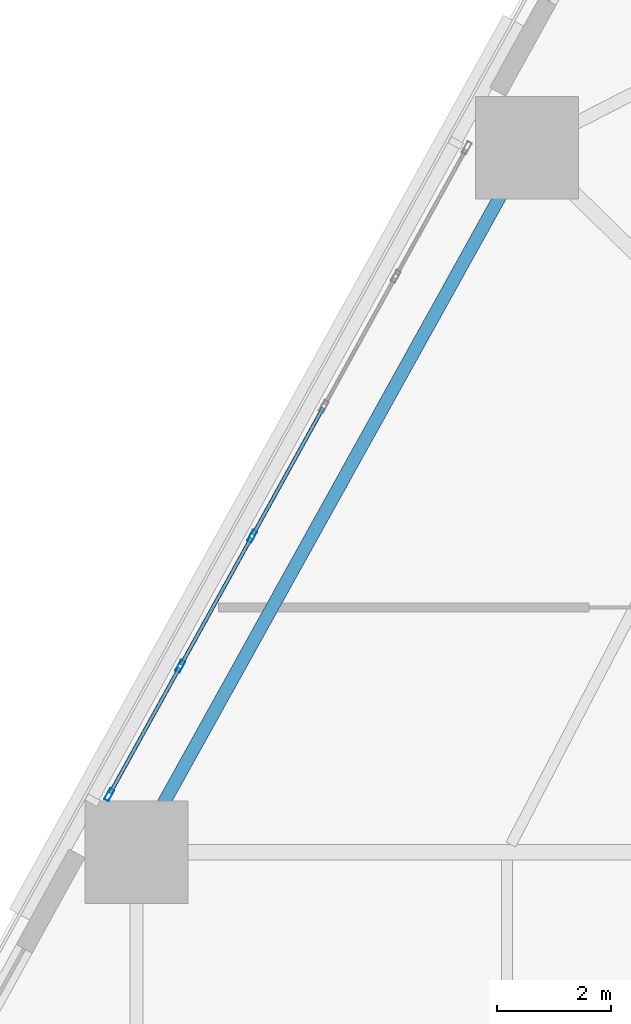
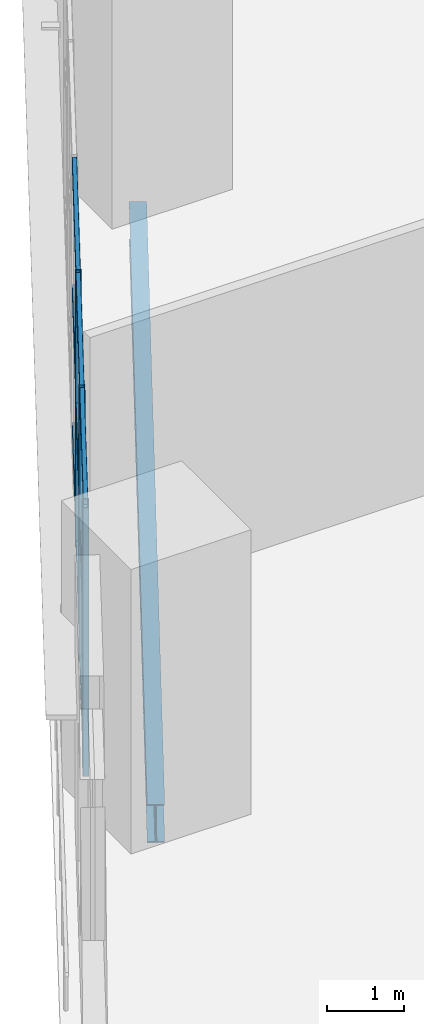
# One storey, part 5 of 21: 12 members, 1 beam, 1 element without a shape of its own.
"""IFC4 building model written with IfcOpenShell, lengths in metres."""

from ifc_helpers import new_model, si_unit, direction, frame, origin, origin_2d, place, context, subcontext, project, spatial, hollow_rectangle, i_section, extrude, material, layer, layer_set, material_profile, profile_set, type_object, element, aggregate, save


model = new_model("IFC4")

# Units and contexts
model_context = context("Model", 3, precision=1e-05, world=origin(), true_north=direction((0.0, 1.0)))
body_context = subcontext(model_context, "Body", "Model", "MODEL_VIEW")
ifc_project = project(units=[si_unit("LENGTHUNIT", "METRE"), si_unit("AREAUNIT", "SQUARE_METRE"), si_unit("VOLUMEUNIT", "CUBIC_METRE"), si_unit("PLANEANGLEUNIT", "RADIAN"), si_unit("MASSUNIT", "GRAM", prefix="KILO")], contexts=[model_context])

# Site, building, storey
site_placement = place(None, origin())
site = spatial("IfcSite", under=ifc_project, at=site_placement, CompositionType="ELEMENT")
building_placement = place(site_placement, origin())
building = spatial("IfcBuilding", under=site, at=building_placement, Name="Cinnabar Lancet Tower", CompositionType="ELEMENT")
storey_placement = place(building_placement, frame((0.0, 0.0, 6.0)))
storey = spatial("IfcBuildingStorey", under=building, at=storey_placement, Name="L01", CompositionType="ELEMENT", Elevation=6.0)

# Curtain wall, members
ifc_material_1 = material(Name="Thermally broken bronze-anodized aluminium and low-E glass", Category="aluminium")
ifc_layer = layer(ifc_material_1, 0.179931640625)
ifc_layer_set = layer_set([ifc_layer], Name="Thermally broken bronze-anodized aluminium and low-E glass")
curtain_wall_type = type_object("IfcCurtainWallType", Name="ENV-CW-SYS-02", PredefinedType="NOTDEFINED", material=ifc_layer_set)
curtain_wall_placement = place(storey_placement, origin())
curtain_wall = element("IfcCurtainWall", 1, at=curtain_wall_placement, inside=storey, type_object=curtain_wall_type, Name="L01 Face 5 Feature Curtain Wall", PredefinedType="NOTDEFINED")
ifc_material_2 = material(Name="Anodized architectural aluminium 6063-T6", Category="aluminium")
ifc_material_profile_1 = material_profile(ifc_material_2, hollow_rectangle(XDim=0.0849609375, YDim=0.219970703125, WallThickness=0.0048828125, InnerFilletRadius=0.00244140625, OuterFilletRadius=0.007568359375, at=origin_2d()), Name="CW-MUL 220x85x5")
ifc_profile_set_1 = profile_set([ifc_material_profile_1], Name="Anodized architectural aluminium 6063-T6")
member_type_1 = type_object("IfcMemberType", Name="ENV-CW-MUL-220", PredefinedType="MULLION", material=ifc_profile_set_1)
member_1_placement = place(storey_placement, frame((6.93701171875, 37.4453125, 0.0), z_axis=(0.0, 0.0, 1.0), x_axis=(0.875242391442, -0.48368456273, 0.0)))
member_1 = element("IfcMember", 2, at=member_1_placement, type_object=member_type_1, Name="CW-02 mullion 4", PredefinedType="MULLION", context=body_context, shape_type="SweptSolid", body=[
    extrude(hollow_rectangle(XDim=0.0849609375, YDim=0.219970703125, WallThickness=0.0048828125, InnerFilletRadius=0.00244140625, OuterFilletRadius=0.007568359375, at=origin_2d()), origin(), (0.0, 0.0, 1.0), 4.25),
])
member_2_placement = place(storey_placement, frame((5.677978515625, 35.167236328125, 0.0), z_axis=(0.0, 0.0, 1.0), x_axis=(0.875242391442, -0.48368456273, 0.0)))
member_2 = element("IfcMember", 3, at=member_2_placement, type_object=member_type_1, Name="CW-02 mullion 5", PredefinedType="MULLION", context=body_context, shape_type="SweptSolid", body=[
    extrude(hollow_rectangle(XDim=0.0849609375, YDim=0.219970703125, WallThickness=0.0048828125, InnerFilletRadius=0.00244140625, OuterFilletRadius=0.007568359375, at=origin_2d()), origin(), (0.0, 0.0, 1.0), 4.25),
])
member_3_placement = place(storey_placement, frame((4.43359375, 32.915283203125, 0.0), z_axis=(0.0, 0.0, 1.0), x_axis=(0.875242391442, -0.48368456273, 0.0)))
member_3 = element("IfcMember", 4, at=member_3_placement, type_object=member_type_1, Name="CW-02 mullion 6", PredefinedType="MULLION", context=body_context, shape_type="SweptSolid", body=[
    extrude(hollow_rectangle(XDim=0.0849609375, YDim=0.219970703125, WallThickness=0.0048828125, InnerFilletRadius=0.00244140625, OuterFilletRadius=0.007568359375, at=origin_2d()), origin(), (0.0, 0.0, 1.0), 4.25),
])
ifc_material_3 = material(Name="Anodized architectural aluminium 6063-T6", Category="aluminium")
ifc_material_profile_2 = material_profile(ifc_material_3, hollow_rectangle(XDim=0.06494140625, YDim=0.14990234375, WallThickness=0.00390625, InnerFilletRadius=0.001953125, OuterFilletRadius=0.006103515625, at=origin_2d()), Name="CW-TRN 150x65x4")
ifc_profile_set_2 = profile_set([ifc_material_profile_2], Name="Anodized architectural aluminium 6063-T6")
member_type_2 = type_object("IfcMemberType", Name="ENV-CW-TRN-160", PredefinedType="USERDEFINED", material=ifc_profile_set_2)
member_4_placement = place(storey_placement, frame((8.181396484375, 39.697265625, 0.030029296875), z_axis=(-0.483701595558, -0.875232978386, 0.0), x_axis=(0.875232978386, -0.483701595558, 0.0)))
member_4 = element("IfcMember", 5, at=member_4_placement, type_object=member_type_2, Name="CW-02 transom 3.1", ObjectType="TRANSOM", PredefinedType="USERDEFINED", context=body_context, shape_type="SweptSolid", body=[
    extrude(hollow_rectangle(XDim=0.06494140625, YDim=0.14990234375, WallThickness=0.00390625, InnerFilletRadius=0.001953125, OuterFilletRadius=0.006103515625, at=origin_2d()), origin(), (0.0, 0.0, 1.0), 2.54296875),
])
member_5_placement = place(storey_placement, frame((8.181396484375, 39.697265625, 2.2099609375), z_axis=(-0.483701595558, -0.875232978386, 0.0), x_axis=(0.875232978386, -0.483701595558, 0.0)))
member_5 = element("IfcMember", 6, at=member_5_placement, type_object=member_type_2, Name="CW-02 transom 3.2", ObjectType="TRANSOM", PredefinedType="USERDEFINED", context=body_context, shape_type="SweptSolid", body=[
    extrude(hollow_rectangle(XDim=0.06494140625, YDim=0.14990234375, WallThickness=0.00390625, InnerFilletRadius=0.001953125, OuterFilletRadius=0.006103515625, at=origin_2d()), origin(), (0.0, 0.0, 1.0), 2.54296875),
])
member_6_placement = place(storey_placement, frame((8.181396484375, 39.697265625, 4.219970703125), z_axis=(-0.483701595558, -0.875232978386, 0.0), x_axis=(0.875232978386, -0.483701595558, 0.0)))
member_6 = element("IfcMember", 7, at=member_6_placement, type_object=member_type_2, Name="CW-02 transom 3.3", ObjectType="TRANSOM", PredefinedType="USERDEFINED", context=body_context, shape_type="SweptSolid", body=[
    extrude(hollow_rectangle(XDim=0.06494140625, YDim=0.14990234375, WallThickness=0.00390625, InnerFilletRadius=0.001953125, OuterFilletRadius=0.006103515625, at=origin_2d()), origin(), (0.0, 0.0, 1.0), 2.54296875),
])
member_7_placement = place(storey_placement, frame((6.922607421875, 37.419189453125, 0.030029296875), z_axis=(-0.483660952196, -0.875255438898, 0.0), x_axis=(0.875255438898, -0.483660952196, 0.0)))
member_7 = element("IfcMember", 8, at=member_7_placement, type_object=member_type_2, Name="CW-02 transom 4.1", ObjectType="TRANSOM", PredefinedType="USERDEFINED", context=body_context, shape_type="SweptSolid", body=[
    extrude(hollow_rectangle(XDim=0.06494140625, YDim=0.14990234375, WallThickness=0.00390625, InnerFilletRadius=0.001953125, OuterFilletRadius=0.006103515625, at=origin_2d()), origin(), (0.0, 0.0, 1.0), 2.54296875),
])
member_8_placement = place(storey_placement, frame((6.922607421875, 37.419189453125, 2.2099609375), z_axis=(-0.483660952196, -0.875255438898, 0.0), x_axis=(0.875255438898, -0.483660952196, 0.0)))
member_8 = element("IfcMember", 9, at=member_8_placement, type_object=member_type_2, Name="CW-02 transom 4.2", ObjectType="TRANSOM", PredefinedType="USERDEFINED", context=body_context, shape_type="SweptSolid", body=[
    extrude(hollow_rectangle(XDim=0.06494140625, YDim=0.14990234375, WallThickness=0.00390625, InnerFilletRadius=0.001953125, OuterFilletRadius=0.006103515625, at=origin_2d()), origin(), (0.0, 0.0, 1.0), 2.54296875),
])
member_9_placement = place(storey_placement, frame((6.922607421875, 37.419189453125, 4.219970703125), z_axis=(-0.483660952196, -0.875255438898, 0.0), x_axis=(0.875255438898, -0.483660952196, 0.0)))
member_9 = element("IfcMember", 10, at=member_9_placement, type_object=member_type_2, Name="CW-02 transom 4.3", ObjectType="TRANSOM", PredefinedType="USERDEFINED", context=body_context, shape_type="SweptSolid", body=[
    extrude(hollow_rectangle(XDim=0.06494140625, YDim=0.14990234375, WallThickness=0.00390625, InnerFilletRadius=0.001953125, OuterFilletRadius=0.006103515625, at=origin_2d()), origin(), (0.0, 0.0, 1.0), 2.54296875),
])
member_10_placement = place(storey_placement, frame((5.66357421875, 35.140869140625, 0.030029296875), z_axis=(-0.483711571576, -0.875227465019, 0.0), x_axis=(0.875227465019, -0.483711571576, 0.0)))
member_10 = element("IfcMember", 11, at=member_10_placement, type_object=member_type_2, Name="CW-02 transom 5.1", ObjectType="TRANSOM", PredefinedType="USERDEFINED", context=body_context, shape_type="SweptSolid", body=[
    extrude(hollow_rectangle(XDim=0.06494140625, YDim=0.14990234375, WallThickness=0.00390625, InnerFilletRadius=0.001953125, OuterFilletRadius=0.006103515625, at=origin_2d()), origin(), (0.0, 0.0, 1.0), 2.512939453125),
])
member_11_placement = place(storey_placement, frame((5.66357421875, 35.140869140625, 2.2099609375), z_axis=(-0.483711571576, -0.875227465019, 0.0), x_axis=(0.875227465019, -0.483711571576, 0.0)))
member_11 = element("IfcMember", 12, at=member_11_placement, type_object=member_type_2, Name="CW-02 transom 5.2", ObjectType="TRANSOM", PredefinedType="USERDEFINED", context=body_context, shape_type="SweptSolid", body=[
    extrude(hollow_rectangle(XDim=0.06494140625, YDim=0.14990234375, WallThickness=0.00390625, InnerFilletRadius=0.001953125, OuterFilletRadius=0.006103515625, at=origin_2d()), origin(), (0.0, 0.0, 1.0), 2.512939453125),
])
member_12_placement = place(storey_placement, frame((5.66357421875, 35.140869140625, 4.219970703125), z_axis=(-0.483711571576, -0.875227465019, 0.0), x_axis=(0.875227465019, -0.483711571576, 0.0)))
member_12 = element("IfcMember", 13, at=member_12_placement, type_object=member_type_2, Name="CW-02 transom 5.3", ObjectType="TRANSOM", PredefinedType="USERDEFINED", context=body_context, shape_type="SweptSolid", body=[
    extrude(hollow_rectangle(XDim=0.06494140625, YDim=0.14990234375, WallThickness=0.00390625, InnerFilletRadius=0.001953125, OuterFilletRadius=0.006103515625, at=origin_2d()), origin(), (0.0, 0.0, 1.0), 2.512939453125),
])
aggregate(curtain_wall, [member_1, member_2, member_3, member_4, member_5, member_6, member_7, member_8, member_9, member_10, member_11, member_12])

# Beam
ifc_material_4 = material(Name="Structural steel S355", Category="steel")
ifc_material_profile_3 = material_profile(ifc_material_4, i_section(OverallWidth=0.228271484375, OverallDepth=0.607666015625, WebThickness=0.010986328125, FlangeThickness=0.017333984375, FilletRadius=0.0126953125, at=origin_2d()), Name="UKB 610x229x113")
ifc_profile_set_3 = profile_set([ifc_material_profile_3], Name="Structural steel S355")
beam_type = type_object("IfcBeamType", Name="STR-BM-SPN-610", PredefinedType="SPANDREL", material=ifc_profile_set_3)
beam_placement = place(storey_placement, frame((11.635986328125, 44.037109375, -0.553955078125), z_axis=(-0.485037056876, -0.874493598294, 0.0), x_axis=(0.874493598294, -0.485037056876, 0.0)))
element("IfcBeam", 14, at=beam_placement, inside=storey, type_object=beam_type, Name="L01 Perimeter Spandrel 9", PredefinedType="SPANDREL", context=body_context, shape_type="SweptSolid", body=[
    extrude(i_section(OverallWidth=0.228271484375, OverallDepth=0.607666015625, WebThickness=0.010986328125, FlangeThickness=0.017333984375, FilletRadius=0.0126953125, at=origin_2d()), origin(), (0.0, 0.0, 1.0), 13.619384765625),
])

save(model, "model.ifc")
